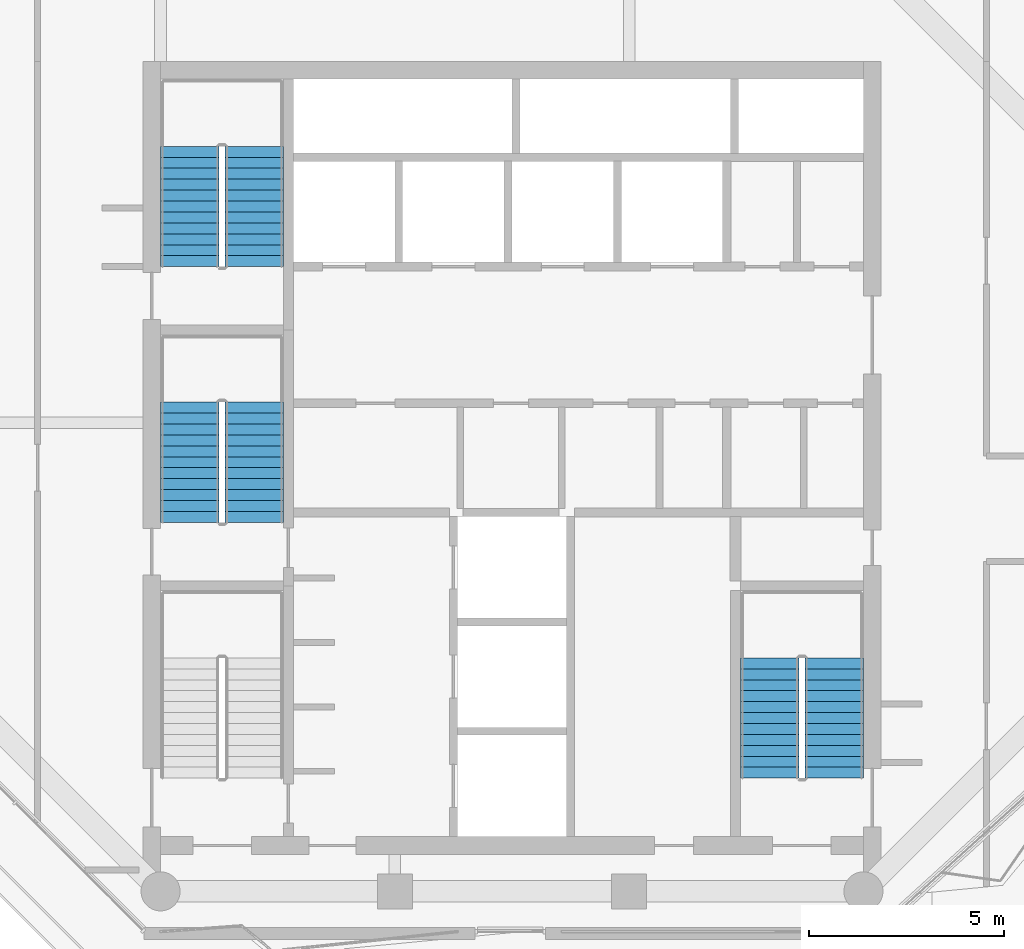
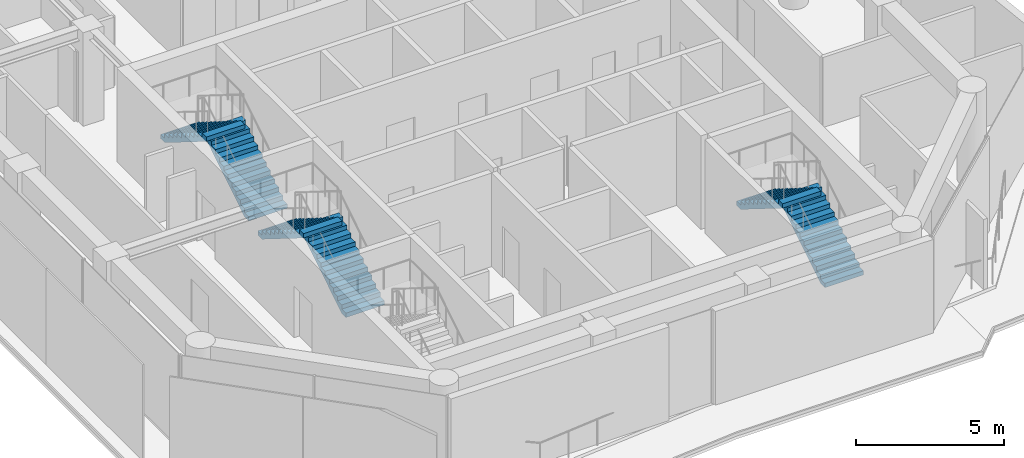
# One storey, part 21 of 23: 6 stair flights, 3 elements without a shape of their own.
"""IFC4 building model written with IfcOpenShell, lengths in metres."""

import ifcopenshell
import ifcopenshell.guid

model = None  # the IFC model being written
_history = None  # IfcOwnerHistory: only IFC2X3 demands one
_inside = {}  # id of a spatial element -> (the spatial element, [elements in it])
_under = {}  # id of a project, library or spatial element -> (it, [spatial elements below it])
_declared = {}  # id of a project -> (the project, [libraries it declares])
_typed = {}  # id of a type object -> (the type object, [elements of that type])
_made_of = {}  # id of a material, layer set ... -> (it, [elements and type objects made of it])


def new_model(schema):
    """Start an empty IFC model of exactly this schema.

    Asked for "IFC4X3", IfcOpenShell would pick the latest addendum, in which some entities
    have other attributes; the version numbers below select the first issue.
    IFC2X3 requires an IfcOwnerHistory on every rooted entity: one is made here for all.
    """
    global model, _history
    if schema == "IFC4X3":
        model = ifcopenshell.file(schema_version=(4, 3, 0, 0))
    else:
        model = ifcopenshell.file(schema=schema)
    _inside.clear()
    _under.clear()
    _declared.clear()
    _typed.clear()
    _made_of.clear()
    _history = None
    if model.schema == "IFC2X3":
        org = make("IfcOrganization", Name="unknown")
        user = make(
            "IfcPersonAndOrganization",
            ThePerson=make("IfcPerson", FamilyName="unknown"),
            TheOrganization=org,
        )
        app = make(
            "IfcApplication",
            ApplicationDeveloper=org,
            Version="unknown",
            ApplicationFullName="unknown",
            ApplicationIdentifier="unknown",
        )
        _history = make(
            "IfcOwnerHistory",
            OwningUser=user,
            OwningApplication=app,
            ChangeAction="ADDED",
            CreationDate=0,
        )
    return model


def make(cls, **values):
    """One entity of the class cls with the attributes given. An attribute that is None is left unset."""
    return model.create_entity(
        cls, **{name: value for name, value in values.items() if value is not None}
    )


def rooted(cls, **values):
    """An entity with a GlobalId (a new one), such as an element, a storey or a relation."""
    return make(cls, GlobalId=ifcopenshell.guid.new(), OwnerHistory=_history, **values)


def si_unit(unit_type, name, prefix=None):
    """IfcSIUnit, for example si_unit("LENGTHUNIT", "METRE", prefix="MILLI")."""
    return make("IfcSIUnit", UnitType=unit_type, Prefix=prefix, Name=name)


def assignment(units):
    """IfcUnitAssignment: the units of a project."""
    return None if units is None else make("IfcUnitAssignment", Units=units)


def point(xyz):
    """IfcCartesianPoint."""
    return None if xyz is None else make("IfcCartesianPoint", Coordinates=xyz)


def direction(xyz):
    """IfcDirection."""
    return None if xyz is None else make("IfcDirection", DirectionRatios=xyz)


def frame(location, z_axis=None, x_axis=None):
    """IfcAxis2Placement3D, a coordinate frame: its origin and axes. An axis left out is left unset."""
    return make(
        "IfcAxis2Placement3D",
        Location=point(location),
        Axis=direction(z_axis),
        RefDirection=direction(x_axis),
    )


def origin():
    """The frame at (0, 0, 0) with its axes left unset."""
    return frame((0.0, 0.0, 0.0))


def place(relative_to, where):
    """IfcLocalPlacement: puts the frame where relative to a parent placement (None: the world)."""
    return make(
        "IfcLocalPlacement", PlacementRelTo=relative_to, RelativePlacement=where
    )


def context(
    kind, dimensions, precision=None, world=None, true_north=None, identifier=None
):
    """IfcGeometricRepresentationContext, for example the 3D "Model" context."""
    return make(
        "IfcGeometricRepresentationContext",
        ContextIdentifier=identifier,
        ContextType=kind,
        CoordinateSpaceDimension=dimensions,
        Precision=precision,
        WorldCoordinateSystem=world,
        TrueNorth=true_north,
    )


def subcontext(parent, identifier, kind, view, scale=None):
    """IfcGeometricRepresentationSubContext, for example "Body" below "Model"."""
    return make(
        "IfcGeometricRepresentationSubContext",
        ContextIdentifier=identifier,
        ContextType=kind,
        ParentContext=parent,
        TargetScale=scale,
        TargetView=view,
    )


def project(units=None, contexts=None):
    """IfcProject with its units and contexts."""
    return rooted(
        "IfcProject",
        Name="project",
        RepresentationContexts=contexts,
        UnitsInContext=assignment(units),
    )


def spatial(cls, under=None, at=None, **own):
    """A site, building, storey or space (cls), placed at a placement, below another one or the project."""
    s = rooted(cls, ObjectPlacement=at, **own)
    if under is not None:
        _under.setdefault(under.id(), (under, []))[1].append(s)
    return s


def polyline(points):
    """IfcPolyline through the points."""
    return make("IfcPolyline", Points=[point(p) for p in points])


def outline(outer, holes=None, kind="AREA"):
    """IfcArbitraryClosedProfileDef: a profile drawn as a closed curve; with holes, ...WithVoids."""
    if holes is None:
        return make("IfcArbitraryClosedProfileDef", ProfileType=kind, OuterCurve=outer)
    return make(
        "IfcArbitraryProfileDefWithVoids",
        ProfileType=kind,
        OuterCurve=outer,
        InnerCurves=holes,
    )


def extrude(swept, where, along, depth):
    """IfcExtrudedAreaSolid: the profile swept, set in the frame where, extruded along a direction by depth."""
    return make(
        "IfcExtrudedAreaSolid",
        SweptArea=swept,
        Position=where,
        ExtrudedDirection=direction(along),
        Depth=depth,
    )


def shape(context_of_items, identifier, shape_type, items):
    """IfcShapeRepresentation: the items that make up one representation, for example the "Body"."""
    return make(
        "IfcShapeRepresentation",
        ContextOfItems=context_of_items,
        RepresentationIdentifier=identifier,
        RepresentationType=shape_type,
        Items=items,
    )


def material(Name=None, Category=None):
    """IfcMaterial."""
    return make("IfcMaterial", Name=Name, Category=Category)


def made_of(thing, what):
    """Note that an element or type object is made of a material, layer set ...; save() writes the relation."""
    if what is not None:
        _made_of.setdefault(what.id(), (what, []))[1].append(thing)
    return thing


def type_object(cls, material=None, **own):
    """A type object (cls), such as IfcWallType, which elements share."""
    return made_of(rooted(cls, **own), material)


def element(
    cls,
    number,
    at=None,
    inside=None,
    cuts=None,
    type_object=None,
    material=None,
    context=None,
    identifier="Body",
    shape_type=None,
    held_by="IfcProductDefinitionShape",
    body=None,
    shapes=None,
    **own,
):
    """One element of the class cls, such as IfcWall. Its Tag is "e" and its number.

    at: its placement. inside: the storey or other place that contains it. cuts: it is an
    opening in that element (IfcRelVoidsElement). A single representation is given by context,
    identifier, shape_type and body (its items); several are given by shapes. held_by: the class
    of the entity that holds the representations. save() writes the other relations.
    """
    e = rooted(cls, Tag="e%d" % number, ObjectPlacement=at, **own)
    if body is not None:
        shapes = [shape(context, identifier, shape_type, body)]
    if shapes is not None:
        e.Representation = make(held_by, Representations=shapes)
    if inside is not None:
        _inside.setdefault(inside.id(), (inside, []))[1].append(e)
    if cuts is not None:
        rooted(
            "IfcRelVoidsElement", RelatingBuildingElement=cuts, RelatedOpeningElement=e
        )
    if type_object is not None:
        _typed.setdefault(type_object.id(), (type_object, []))[1].append(e)
    return made_of(e, material)


def aggregate(whole, parts):
    """IfcRelAggregates: a whole, such as a stair, and the parts it consists of."""
    return rooted("IfcRelAggregates", RelatingObject=whole, RelatedObjects=parts)


def save(model, path):
    """Write the relations noted so far, then the file.

    IfcRelAggregates (storeys below a building ...), IfcRelContainedInSpatialStructure (elements
    in a storey), IfcRelDefinesByType, IfcRelAssociatesMaterial and IfcRelDeclares: one each for
    every whole, place, type object, material and project.
    """
    for whole, parts in _under.values():
        aggregate(whole, parts)
    for where, things in _inside.values():
        rooted(
            "IfcRelContainedInSpatialStructure",
            RelatedElements=things,
            RelatingStructure=where,
        )
    for kind, things in _typed.values():
        rooted("IfcRelDefinesByType", RelatedObjects=things, RelatingType=kind)
    for what, things in _made_of.values():
        rooted("IfcRelAssociatesMaterial", RelatedObjects=things, RelatingMaterial=what)
    for by, libraries in _declared.values():
        rooted("IfcRelDeclares", RelatingContext=by, RelatedDefinitions=libraries)
    model.write(path)


model = new_model("IFC4")

# Units and contexts
model_context = context("Model", 3, precision=1e-05, world=origin(), true_north=direction((0.0, 1.0)))
body_context = subcontext(model_context, "Body", "Model", "MODEL_VIEW")
ifc_project = project(units=[si_unit("LENGTHUNIT", "METRE"), si_unit("AREAUNIT", "SQUARE_METRE"), si_unit("VOLUMEUNIT", "CUBIC_METRE"), si_unit("PLANEANGLEUNIT", "RADIAN"), si_unit("MASSUNIT", "GRAM", prefix="KILO")], contexts=[model_context])

# Site, building, storey
site_placement = place(None, origin())
site = spatial("IfcSite", under=ifc_project, at=site_placement, CompositionType="ELEMENT")
building_placement = place(site_placement, origin())
building = spatial("IfcBuilding", under=site, at=building_placement, Name="Welwitschia Terrace Campus", CompositionType="ELEMENT")
storey_placement = place(building_placement, frame((0.0, 0.0, 205.39990234375)))
storey = spatial("IfcBuildingStorey", under=building, at=storey_placement, Name="L45", CompositionType="ELEMENT", Elevation=205.39990234375)

# Stair, stair flights
ifc_material_1 = material(Name="Concrete C40/50", Category="concrete")
stair_type = type_object("IfcStairType", Name="Stair 24R 175 W1500", PredefinedType="HALF_TURN_STAIR", material=ifc_material_1)
stair_1_placement = place(storey_placement, origin())
stair_1 = element("IfcStair", 1, at=stair_1_placement, inside=storey, type_object=stair_type, Name="L45 Exit stair S3", PredefinedType="HALF_TURN_STAIR")
ifc_material_2 = material(Name="Concrete C40/50", Category="concrete")
stair_flight_type = type_object("IfcStairFlightType", Name="Stair flight 24R 175 W1500", PredefinedType="STRAIGHT", material=ifc_material_2)
stair_flight_1_placement = place(storey_placement, frame((8.39990234375, 13.449951171875, 0.0), z_axis=(0.0, 0.0, 1.0), x_axis=(0.0, 1.0, 0.0)))
stair_flight_1 = element("IfcStairFlight", 2, at=stair_flight_1_placement, type_object=stair_flight_type, Name="S3 flight 1", NumberOfRisers=12, NumberOfTreads=11, PredefinedType="STRAIGHT", RiserHeight=0.175, TreadLength=0.28, context=body_context, shape_type="SweptSolid", body=[
    extrude(outline(polyline([(0.0, 0.0), (0.0, 0.175048828125), (0.280029296875, 0.175048828125), (0.280029296875, 0.35009765625), (0.56005859375, 0.35009765625), (0.56005859375, 0.52490234375), (0.840087890625, 0.52490234375), (0.840087890625, 0.699951171875), (1.1201171875, 0.699951171875), (1.1201171875, 0.875), (1.39990234375, 0.875), (1.39990234375, 1.050048828125), (1.679931640625, 1.050048828125), (1.679931640625, 1.22509765625), (1.9599609375, 1.22509765625), (1.9599609375, 1.39990234375), (2.239990234375, 1.39990234375), (2.239990234375, 1.574951171875), (2.52001953125, 1.574951171875), (2.52001953125, 1.75), (2.800048828125, 1.75), (2.800048828125, 1.925048828125), (3.080078125, 1.925048828125), (3.080078125, 2.10009765625), (3.080078125, 1.748291015625), (0.28271484375, 0.0), (0.0, 0.0)])), frame((0.0, 0.75, 0.0), z_axis=(0.0, -1.0, 0.0), x_axis=(1.0, 0.0, 0.0)), (0.0, 0.0, 1.0), 1.5),
])
stair_flight_2_placement = place(storey_placement, frame((6.75, 16.530029296875, 2.10009765625), z_axis=(0.0, 0.0, 1.0), x_axis=(0.0, -1.0, 0.0)))
stair_flight_2 = element("IfcStairFlight", 3, at=stair_flight_2_placement, type_object=stair_flight_type, Name="S3 flight 2", NumberOfRisers=12, NumberOfTreads=11, PredefinedType="STRAIGHT", RiserHeight=0.175, TreadLength=0.28, context=body_context, shape_type="SweptSolid", body=[
    extrude(outline(polyline([(0.0, 0.0), (0.0, 0.175048828125), (0.280029296875, 0.175048828125), (0.280029296875, 0.35009765625), (0.56005859375, 0.35009765625), (0.56005859375, 0.52490234375), (0.840087890625, 0.52490234375), (0.840087890625, 0.699951171875), (1.1201171875, 0.699951171875), (1.1201171875, 0.875), (1.39990234375, 0.875), (1.39990234375, 1.050048828125), (1.679931640625, 1.050048828125), (1.679931640625, 1.22509765625), (1.9599609375, 1.22509765625), (1.9599609375, 1.39990234375), (2.239990234375, 1.39990234375), (2.239990234375, 1.574951171875), (2.52001953125, 1.574951171875), (2.52001953125, 1.75), (2.800048828125, 1.75), (2.800048828125, 1.925048828125), (3.080078125, 1.925048828125), (3.080078125, 2.10009765625), (3.080078125, 1.748291015625), (0.28271484375, 0.0), (0.0, 0.0)])), frame((0.0, 0.75, 0.0), z_axis=(0.0, -1.0, 0.0), x_axis=(1.0, 0.0, 0.0)), (0.0, 0.0, 1.0), 1.5),
])
aggregate(stair_1, [stair_flight_1, stair_flight_2])

stair_2_placement = place(storey_placement, origin())
stair_2 = element("IfcStair", 4, at=stair_2_placement, inside=storey, type_object=stair_type, Name="L45 Exit stair S4", PredefinedType="HALF_TURN_STAIR")
stair_flight_3_placement = place(storey_placement, frame((8.39990234375, 20.0, 0.0), z_axis=(0.0, 0.0, 1.0), x_axis=(0.0, 1.0, 0.0)))
stair_flight_3 = element("IfcStairFlight", 5, at=stair_flight_3_placement, type_object=stair_flight_type, Name="S4 flight 1", NumberOfRisers=12, NumberOfTreads=11, PredefinedType="STRAIGHT", RiserHeight=0.175, TreadLength=0.28, context=body_context, shape_type="SweptSolid", body=[
    extrude(outline(polyline([(0.0, 0.0), (0.0, 0.175048828125), (0.280029296875, 0.175048828125), (0.280029296875, 0.35009765625), (0.56005859375, 0.35009765625), (0.56005859375, 0.52490234375), (0.840087890625, 0.52490234375), (0.840087890625, 0.699951171875), (1.1201171875, 0.699951171875), (1.1201171875, 0.875), (1.39990234375, 0.875), (1.39990234375, 1.050048828125), (1.679931640625, 1.050048828125), (1.679931640625, 1.22509765625), (1.9599609375, 1.22509765625), (1.9599609375, 1.39990234375), (2.239990234375, 1.39990234375), (2.239990234375, 1.574951171875), (2.52001953125, 1.574951171875), (2.52001953125, 1.75), (2.800048828125, 1.75), (2.800048828125, 1.925048828125), (3.080078125, 1.925048828125), (3.080078125, 2.10009765625), (3.080078125, 1.748291015625), (0.28271484375, 0.0), (0.0, 0.0)])), frame((0.0, 0.75, 0.0), z_axis=(0.0, -1.0, 0.0), x_axis=(1.0, 0.0, 0.0)), (0.0, 0.0, 1.0), 1.5),
])
stair_flight_4_placement = place(storey_placement, frame((6.75, 23.080078125, 2.10009765625), z_axis=(0.0, 0.0, 1.0), x_axis=(0.0, -1.0, 0.0)))
stair_flight_4 = element("IfcStairFlight", 6, at=stair_flight_4_placement, type_object=stair_flight_type, Name="S4 flight 2", NumberOfRisers=12, NumberOfTreads=11, PredefinedType="STRAIGHT", RiserHeight=0.175, TreadLength=0.28, context=body_context, shape_type="SweptSolid", body=[
    extrude(outline(polyline([(0.0, 0.0), (0.0, 0.175048828125), (0.280029296875, 0.175048828125), (0.280029296875, 0.35009765625), (0.56005859375, 0.35009765625), (0.56005859375, 0.52490234375), (0.840087890625, 0.52490234375), (0.840087890625, 0.699951171875), (1.1201171875, 0.699951171875), (1.1201171875, 0.875), (1.39990234375, 0.875), (1.39990234375, 1.050048828125), (1.679931640625, 1.050048828125), (1.679931640625, 1.22509765625), (1.9599609375, 1.22509765625), (1.9599609375, 1.39990234375), (2.239990234375, 1.39990234375), (2.239990234375, 1.574951171875), (2.52001953125, 1.574951171875), (2.52001953125, 1.75), (2.800048828125, 1.75), (2.800048828125, 1.925048828125), (3.080078125, 1.925048828125), (3.080078125, 2.10009765625), (3.080078125, 1.748291015625), (0.28271484375, 0.0), (0.0, 0.0)])), frame((0.0, 0.75, 0.0), z_axis=(0.0, -1.0, 0.0), x_axis=(1.0, 0.0, 0.0)), (0.0, 0.0, 1.0), 1.5),
])
aggregate(stair_2, [stair_flight_3, stair_flight_4])

stair_3_placement = place(storey_placement, origin())
stair_3 = element("IfcStair", 7, at=stair_3_placement, inside=storey, type_object=stair_type, Name="L45 Exit stair S2", PredefinedType="HALF_TURN_STAIR")
stair_flight_5_placement = place(storey_placement, frame((23.25, 6.89990234375, 0.0), z_axis=(0.0, 0.0, 1.0), x_axis=(0.0, 1.0, 0.0)))
stair_flight_5 = element("IfcStairFlight", 8, at=stair_flight_5_placement, type_object=stair_flight_type, Name="S2 flight 1", NumberOfRisers=12, NumberOfTreads=11, PredefinedType="STRAIGHT", RiserHeight=0.175, TreadLength=0.28, context=body_context, shape_type="SweptSolid", body=[
    extrude(outline(polyline([(0.0, 0.0), (0.0, 0.175048828125), (0.280029296875, 0.175048828125), (0.280029296875, 0.35009765625), (0.56005859375, 0.35009765625), (0.56005859375, 0.52490234375), (0.840087890625, 0.52490234375), (0.840087890625, 0.699951171875), (1.1201171875, 0.699951171875), (1.1201171875, 0.875), (1.39990234375, 0.875), (1.39990234375, 1.050048828125), (1.679931640625, 1.050048828125), (1.679931640625, 1.22509765625), (1.9599609375, 1.22509765625), (1.9599609375, 1.39990234375), (2.239990234375, 1.39990234375), (2.239990234375, 1.574951171875), (2.52001953125, 1.574951171875), (2.52001953125, 1.75), (2.800048828125, 1.75), (2.800048828125, 1.925048828125), (3.080078125, 1.925048828125), (3.080078125, 2.10009765625), (3.080078125, 1.748291015625), (0.28271484375, 0.0), (0.0, 0.0)])), frame((0.0, 0.75, 0.0), z_axis=(0.0, -1.0, 0.0), x_axis=(1.0, 0.0, 0.0)), (0.0, 0.0, 1.0), 1.5),
])
stair_flight_6_placement = place(storey_placement, frame((21.60009765625, 9.97998046875, 2.10009765625), z_axis=(0.0, 0.0, 1.0), x_axis=(0.0, -1.0, 0.0)))
stair_flight_6 = element("IfcStairFlight", 9, at=stair_flight_6_placement, type_object=stair_flight_type, Name="S2 flight 2", NumberOfRisers=12, NumberOfTreads=11, PredefinedType="STRAIGHT", RiserHeight=0.175, TreadLength=0.28, context=body_context, shape_type="SweptSolid", body=[
    extrude(outline(polyline([(0.0, 0.0), (0.0, 0.175048828125), (0.280029296875, 0.175048828125), (0.280029296875, 0.35009765625), (0.56005859375, 0.35009765625), (0.56005859375, 0.52490234375), (0.840087890625, 0.52490234375), (0.840087890625, 0.699951171875), (1.1201171875, 0.699951171875), (1.1201171875, 0.875), (1.39990234375, 0.875), (1.39990234375, 1.050048828125), (1.679931640625, 1.050048828125), (1.679931640625, 1.22509765625), (1.9599609375, 1.22509765625), (1.9599609375, 1.39990234375), (2.239990234375, 1.39990234375), (2.239990234375, 1.574951171875), (2.52001953125, 1.574951171875), (2.52001953125, 1.75), (2.800048828125, 1.75), (2.800048828125, 1.925048828125), (3.080078125, 1.925048828125), (3.080078125, 2.10009765625), (3.080078125, 1.748291015625), (0.28271484375, 0.0), (0.0, 0.0)])), frame((0.0, 0.75, 0.0), z_axis=(0.0, -1.0, 0.0), x_axis=(1.0, 0.0, 0.0)), (0.0, 0.0, 1.0), 1.5),
])
aggregate(stair_3, [stair_flight_5, stair_flight_6])

save(model, "model.ifc")
